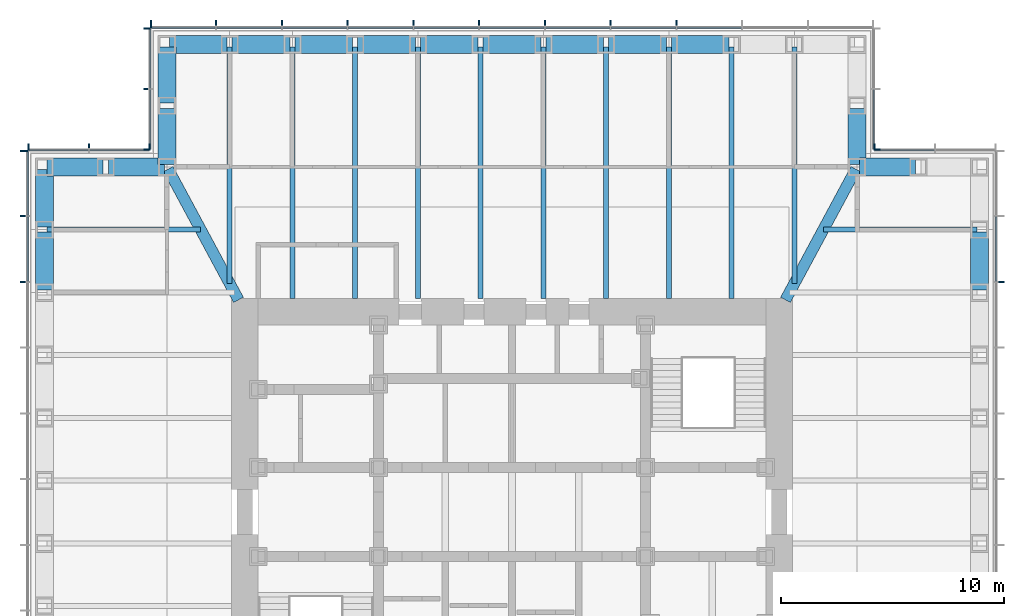
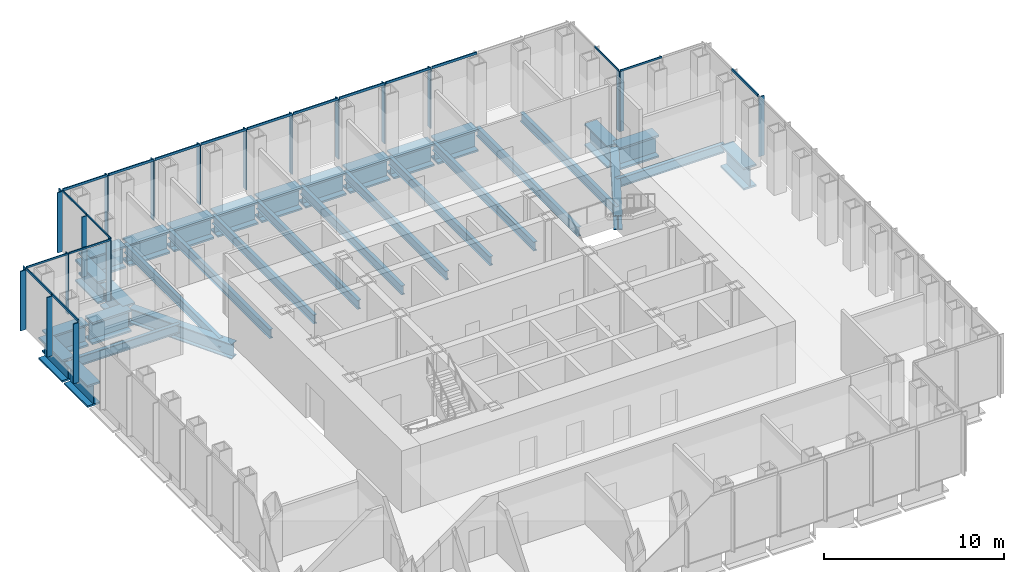
# One storey, part 5 of 17: 39 members, 32 beams, 7 elements without a shape of their own.
"""IFC4 building model written with IfcOpenShell, lengths in metres."""

from ifc_helpers import new_model, si_unit, direction, frame, origin, origin_2d, place, context, subcontext, project, spatial, rectangle, i_section, extrude, material, material_profile, profile_set, type_object, element, aggregate, save


model = new_model("IFC4")

# Units and contexts
model_context = context("Model", 3, precision=1e-05, world=origin(), true_north=direction((0.0, 1.0)))
body_context = subcontext(model_context, "Body", "Model", "MODEL_VIEW")
ifc_project = project(units=[si_unit("LENGTHUNIT", "METRE"), si_unit("AREAUNIT", "SQUARE_METRE"), si_unit("VOLUMEUNIT", "CUBIC_METRE"), si_unit("PLANEANGLEUNIT", "RADIAN"), si_unit("MASSUNIT", "GRAM", prefix="KILO")], contexts=[model_context])

# Site, building, storey
site_placement = place(None, origin())
site = spatial("IfcSite", under=ifc_project, at=site_placement, CompositionType="ELEMENT")
building_placement = place(site_placement, origin())
building = spatial("IfcBuilding", under=site, at=building_placement, Name="Daluyong Arena Tower", CompositionType="ELEMENT")
storey_placement = place(building_placement, frame((0.0, 0.0, 223.300048828125)))
storey = spatial("IfcBuildingStorey", under=building, at=storey_placement, Name="L50", CompositionType="ELEMENT", Elevation=223.300048828125)

# Curtain wall, member
ifc_material_1 = material(Name="Bronze anodised aluminium and glass", Category="aluminium")
curtain_wall_type_1 = type_object("IfcCurtainWallType", Name="Curtain wall CW3", PredefinedType="USERDEFINED", material=ifc_material_1)
curtain_wall_1_placement = place(storey_placement, origin())
curtain_wall_1 = element("IfcCurtainWall", 1, at=curtain_wall_1_placement, inside=storey, type_object=curtain_wall_type_1, Name="curtain wall L50 E", ObjectType="UNITISED CURTAIN WALL", PredefinedType="USERDEFINED")
ifc_material_2 = material(Name="Bronze anodised aluminium fin", Category="aluminium")
ifc_material_profile_1 = material_profile(ifc_material_2, rectangle(XDim=0.35009765625, YDim=0.070068359375, at=origin_2d()))
ifc_profile_set_1 = profile_set([ifc_material_profile_1], Name="Bronze anodised aluminium fin")
member_type_1 = type_object("IfcMemberType", Name="CW3 bronze fin 350x70", PredefinedType="MULLION", material=ifc_profile_set_1)
member_1_placement = place(storey_placement, frame((77.925048828125, 90.3408203125, 0.0), z_axis=(0.0, 0.0, 1.0), x_axis=(-1.0, 0.0, 0.0)))
member_1 = element("IfcMember", 2, at=member_1_placement, type_object=member_type_1, Name="curtain wall L50 E fin 10", PredefinedType="MULLION", context=body_context, shape_type="SweptSolid", body=[
    extrude(rectangle(XDim=0.35009765625, YDim=0.070068359375, at=origin_2d()), origin(), (0.0, 0.0, 1.0), 4.0400390625),
])

# Curtain wall, members
curtain_wall_2_placement = place(storey_placement, origin())
curtain_wall_2 = element("IfcCurtainWall", 3, at=curtain_wall_2_placement, inside=storey, type_object=curtain_wall_type_1, Name="curtain wall L50 N", ObjectType="UNITISED CURTAIN WALL", PredefinedType="USERDEFINED")
member_2_placement = place(storey_placement, frame((63.386474609375, 101.925048828125, 0.0), z_axis=(0.0, 0.0, 1.0), x_axis=(0.0, -1.0, 0.0)))
member_2 = element("IfcMember", 4, at=member_2_placement, type_object=member_type_1, Name="curtain wall L50 N fin 4", PredefinedType="MULLION", context=body_context, shape_type="SweptSolid", body=[
    extrude(rectangle(XDim=0.35009765625, YDim=0.070068359375, at=origin_2d()), origin(), (0.0, 0.0, 1.0), 4.0400390625),
])
member_3_placement = place(storey_placement, frame((60.431884765625, 101.925048828125, 0.0), z_axis=(0.0, 0.0, 1.0), x_axis=(0.0, -1.0, 0.0)))
member_3 = element("IfcMember", 5, at=member_3_placement, type_object=member_type_1, Name="curtain wall L50 N fin 5", PredefinedType="MULLION", context=body_context, shape_type="SweptSolid", body=[
    extrude(rectangle(XDim=0.35009765625, YDim=0.070068359375, at=origin_2d()), origin(), (0.0, 0.0, 1.0), 4.0400390625),
])
member_4_placement = place(storey_placement, frame((57.477294921875, 101.925048828125, 0.0), z_axis=(0.0, 0.0, 1.0), x_axis=(0.0, -1.0, 0.0)))
member_4 = element("IfcMember", 6, at=member_4_placement, type_object=member_type_1, Name="curtain wall L50 N fin 6", PredefinedType="MULLION", context=body_context, shape_type="SweptSolid", body=[
    extrude(rectangle(XDim=0.35009765625, YDim=0.070068359375, at=origin_2d()), origin(), (0.0, 0.0, 1.0), 4.0400390625),
])
member_5_placement = place(storey_placement, frame((54.522705078125, 101.925048828125, 0.0), z_axis=(0.0, 0.0, 1.0), x_axis=(0.0, -1.0, 0.0)))
member_5 = element("IfcMember", 7, at=member_5_placement, type_object=member_type_1, Name="curtain wall L50 N fin 7", PredefinedType="MULLION", context=body_context, shape_type="SweptSolid", body=[
    extrude(rectangle(XDim=0.35009765625, YDim=0.070068359375, at=origin_2d()), origin(), (0.0, 0.0, 1.0), 4.0400390625),
])
member_6_placement = place(storey_placement, frame((51.568115234375, 101.925048828125, 0.0), z_axis=(0.0, 0.0, 1.0), x_axis=(0.0, -1.0, 0.0)))
member_6 = element("IfcMember", 8, at=member_6_placement, type_object=member_type_1, Name="curtain wall L50 N fin 8", PredefinedType="MULLION", context=body_context, shape_type="SweptSolid", body=[
    extrude(rectangle(XDim=0.35009765625, YDim=0.070068359375, at=origin_2d()), origin(), (0.0, 0.0, 1.0), 4.0400390625),
])
member_7_placement = place(storey_placement, frame((48.613525390625, 101.925048828125, 0.0), z_axis=(0.0, 0.0, 1.0), x_axis=(0.0, -1.0, 0.0)))
member_7 = element("IfcMember", 9, at=member_7_placement, type_object=member_type_1, Name="curtain wall L50 N fin 9", PredefinedType="MULLION", context=body_context, shape_type="SweptSolid", body=[
    extrude(rectangle(XDim=0.35009765625, YDim=0.070068359375, at=origin_2d()), origin(), (0.0, 0.0, 1.0), 4.0400390625),
])
member_8_placement = place(storey_placement, frame((45.6591796875, 101.925048828125, 0.0), z_axis=(0.0, 0.0, 1.0), x_axis=(0.0, -1.0, 0.0)))
member_8 = element("IfcMember", 10, at=member_8_placement, type_object=member_type_1, Name="curtain wall L50 N fin 10", PredefinedType="MULLION", context=body_context, shape_type="SweptSolid", body=[
    extrude(rectangle(XDim=0.35009765625, YDim=0.070068359375, at=origin_2d()), origin(), (0.0, 0.0, 1.0), 4.0400390625),
])
member_9_placement = place(storey_placement, frame((42.70458984375, 101.925048828125, 0.0), z_axis=(0.0, 0.0, 1.0), x_axis=(0.0, -1.0, 0.0)))
member_9 = element("IfcMember", 11, at=member_9_placement, type_object=member_type_1, Name="curtain wall L50 N fin 11", PredefinedType="MULLION", context=body_context, shape_type="SweptSolid", body=[
    extrude(rectangle(XDim=0.35009765625, YDim=0.070068359375, at=origin_2d()), origin(), (0.0, 0.0, 1.0), 4.0400390625),
])
member_10_placement = place(storey_placement, frame((39.784912109375, 101.925048828125, 0.0), z_axis=(0.0, 0.0, 1.0), x_axis=(0.0, -1.0, 0.0)))
member_10 = element("IfcMember", 12, at=member_10_placement, type_object=member_type_1, Name="curtain wall L50 N fin 12", PredefinedType="MULLION", context=body_context, shape_type="SweptSolid", body=[
    extrude(rectangle(XDim=0.35009765625, YDim=0.070068359375, at=origin_2d()), origin(), (0.0, 0.0, 1.0), 4.0400390625),
])

curtain_wall_3_placement = place(storey_placement, origin())
curtain_wall_3 = element("IfcCurtainWall", 13, at=curtain_wall_3_placement, inside=storey, type_object=curtain_wall_type_1, Name="curtain wall L50 W", ObjectType="UNITISED CURTAIN WALL", PredefinedType="USERDEFINED")
member_11_placement = place(storey_placement, frame((34.074951171875, 96.215087890625, 0.0), z_axis=(0.0, 0.0, 1.0), x_axis=(1.0, 0.0, 0.0)))
member_11 = element("IfcMember", 14, at=member_11_placement, type_object=member_type_1, Name="curtain wall L50 W fin 1", PredefinedType="MULLION", context=body_context, shape_type="SweptSolid", body=[
    extrude(rectangle(XDim=0.35009765625, YDim=0.070068359375, at=origin_2d()), origin(), (0.0, 0.0, 1.0), 4.0400390625),
])
member_12_placement = place(storey_placement, frame((34.074951171875, 93.29541015625, 0.0), z_axis=(0.0, 0.0, 1.0), x_axis=(1.0, 0.0, 0.0)))
member_12 = element("IfcMember", 15, at=member_12_placement, type_object=member_type_1, Name="curtain wall L50 W fin 2", PredefinedType="MULLION", context=body_context, shape_type="SweptSolid", body=[
    extrude(rectangle(XDim=0.35009765625, YDim=0.070068359375, at=origin_2d()), origin(), (0.0, 0.0, 1.0), 4.0400390625),
])
member_13_placement = place(storey_placement, frame((34.074951171875, 90.3408203125, 0.0), z_axis=(0.0, 0.0, 1.0), x_axis=(1.0, 0.0, 0.0)))
member_13 = element("IfcMember", 16, at=member_13_placement, type_object=member_type_1, Name="curtain wall L50 W fin 3", PredefinedType="MULLION", context=body_context, shape_type="SweptSolid", body=[
    extrude(rectangle(XDim=0.35009765625, YDim=0.070068359375, at=origin_2d()), origin(), (0.0, 0.0, 1.0), 4.0400390625),
])

# Member
ifc_material_3 = material(Name="Bronze anodised aluminium", Category="aluminium")
ifc_material_profile_2 = material_profile(ifc_material_3, rectangle(XDim=0.070068359375, YDim=0.159912109375, at=origin_2d()))
ifc_profile_set_2 = profile_set([ifc_material_profile_2], Name="Bronze anodised aluminium")
member_type_2 = type_object("IfcMemberType", Name="CW3 stack transom 160x70", PredefinedType="USERDEFINED", material=ifc_profile_set_2)
member_14_placement = place(storey_placement, frame((77.75, 90.3759765625, 4.119873046875), z_axis=(0.0, 1.0, 0.0), x_axis=(-1.0, 0.0, 0.0)))
member_14 = element("IfcMember", 17, at=member_14_placement, type_object=member_type_2, Name="curtain wall L50 E transom 10", ObjectType="TRANSOM", PredefinedType="USERDEFINED", context=body_context, shape_type="SweptSolid", body=[
    extrude(rectangle(XDim=0.070068359375, YDim=0.159912109375, at=origin_2d()), origin(), (0.0, 0.0, 1.0), 2.884521484375),
])

aggregate(curtain_wall_1, [member_1, member_14])

member_15_placement = place(storey_placement, frame((66.305908203125, 101.75, 4.119873046875), z_axis=(-1.0, 0.0, 0.0), x_axis=(0.0, -1.0, 0.0)))
member_15 = element("IfcMember", 18, at=member_15_placement, type_object=member_type_2, Name="curtain wall L50 N transom 3", ObjectType="TRANSOM", PredefinedType="USERDEFINED", context=body_context, shape_type="SweptSolid", body=[
    extrude(rectangle(XDim=0.070068359375, YDim=0.159912109375, at=origin_2d()), origin(), (0.0, 0.0, 1.0), 2.884521484375),
])

member_16_placement = place(storey_placement, frame((63.351318359375, 101.75, 4.119873046875), z_axis=(-1.0, 0.0, 0.0), x_axis=(0.0, -1.0, 0.0)))
member_16 = element("IfcMember", 19, at=member_16_placement, type_object=member_type_2, Name="curtain wall L50 N transom 4", ObjectType="TRANSOM", PredefinedType="USERDEFINED", context=body_context, shape_type="SweptSolid", body=[
    extrude(rectangle(XDim=0.070068359375, YDim=0.159912109375, at=origin_2d()), origin(), (0.0, 0.0, 1.0), 2.884521484375),
])

member_17_placement = place(storey_placement, frame((60.396728515625, 101.75, 4.119873046875), z_axis=(-1.0, 0.0, 0.0), x_axis=(0.0, -1.0, 0.0)))
member_17 = element("IfcMember", 20, at=member_17_placement, type_object=member_type_2, Name="curtain wall L50 N transom 5", ObjectType="TRANSOM", PredefinedType="USERDEFINED", context=body_context, shape_type="SweptSolid", body=[
    extrude(rectangle(XDim=0.070068359375, YDim=0.159912109375, at=origin_2d()), origin(), (0.0, 0.0, 1.0), 2.884521484375),
])

member_18_placement = place(storey_placement, frame((57.4423828125, 101.75, 4.119873046875), z_axis=(-1.0, 0.0, 0.0), x_axis=(0.0, -1.0, 0.0)))
member_18 = element("IfcMember", 21, at=member_18_placement, type_object=member_type_2, Name="curtain wall L50 N transom 6", ObjectType="TRANSOM", PredefinedType="USERDEFINED", context=body_context, shape_type="SweptSolid", body=[
    extrude(rectangle(XDim=0.070068359375, YDim=0.159912109375, at=origin_2d()), origin(), (0.0, 0.0, 1.0), 2.884765625),
])

member_19_placement = place(storey_placement, frame((54.48779296875, 101.75, 4.119873046875), z_axis=(-1.0, 0.0, 0.0), x_axis=(0.0, -1.0, 0.0)))
member_19 = element("IfcMember", 22, at=member_19_placement, type_object=member_type_2, Name="curtain wall L50 N transom 7", ObjectType="TRANSOM", PredefinedType="USERDEFINED", context=body_context, shape_type="SweptSolid", body=[
    extrude(rectangle(XDim=0.070068359375, YDim=0.159912109375, at=origin_2d()), origin(), (0.0, 0.0, 1.0), 2.884521484375),
])

member_20_placement = place(storey_placement, frame((51.533203125, 101.75, 4.119873046875), z_axis=(-1.0, 0.0, 0.0), x_axis=(0.0, -1.0, 0.0)))
member_20 = element("IfcMember", 23, at=member_20_placement, type_object=member_type_2, Name="curtain wall L50 N transom 8", ObjectType="TRANSOM", PredefinedType="USERDEFINED", context=body_context, shape_type="SweptSolid", body=[
    extrude(rectangle(XDim=0.070068359375, YDim=0.159912109375, at=origin_2d()), origin(), (0.0, 0.0, 1.0), 2.884521484375),
])

member_21_placement = place(storey_placement, frame((48.57861328125, 101.75, 4.119873046875), z_axis=(-1.0, 0.0, 0.0), x_axis=(0.0, -1.0, 0.0)))
member_21 = element("IfcMember", 24, at=member_21_placement, type_object=member_type_2, Name="curtain wall L50 N transom 9", ObjectType="TRANSOM", PredefinedType="USERDEFINED", context=body_context, shape_type="SweptSolid", body=[
    extrude(rectangle(XDim=0.070068359375, YDim=0.159912109375, at=origin_2d()), origin(), (0.0, 0.0, 1.0), 2.884521484375),
])

member_22_placement = place(storey_placement, frame((45.6240234375, 101.75, 4.119873046875), z_axis=(-1.0, 0.0, 0.0), x_axis=(0.0, -1.0, 0.0)))
member_22 = element("IfcMember", 25, at=member_22_placement, type_object=member_type_2, Name="curtain wall L50 N transom 10", ObjectType="TRANSOM", PredefinedType="USERDEFINED", context=body_context, shape_type="SweptSolid", body=[
    extrude(rectangle(XDim=0.070068359375, YDim=0.159912109375, at=origin_2d()), origin(), (0.0, 0.0, 1.0), 2.884521484375),
])

member_23_placement = place(storey_placement, frame((42.66943359375, 101.75, 4.119873046875), z_axis=(-1.0, 0.0, 0.0), x_axis=(0.0, -1.0, 0.0)))
member_23 = element("IfcMember", 26, at=member_23_placement, type_object=member_type_2, Name="curtain wall L50 N transom 11", ObjectType="TRANSOM", PredefinedType="USERDEFINED", context=body_context, shape_type="SweptSolid", body=[
    extrude(rectangle(XDim=0.070068359375, YDim=0.159912109375, at=origin_2d()), origin(), (0.0, 0.0, 1.0), 2.849365234375),
])

aggregate(curtain_wall_2, [member_2, member_3, member_4, member_5, member_6, member_7, member_8, member_9, member_10, member_15, member_16, member_17, member_18, member_19, member_20, member_21, member_22, member_23])

member_24_placement = place(storey_placement, frame((34.25, 96.179931640625, 4.119873046875), z_axis=(0.0, -1.0, 0.0), x_axis=(1.0, 0.0, 0.0)))
member_24 = element("IfcMember", 27, at=member_24_placement, type_object=member_type_2, Name="curtain wall L50 W transom 1", ObjectType="TRANSOM", PredefinedType="USERDEFINED", context=body_context, shape_type="SweptSolid", body=[
    extrude(rectangle(XDim=0.070068359375, YDim=0.159912109375, at=origin_2d()), origin(), (0.0, 0.0, 1.0), 2.849365234375),
])

member_25_placement = place(storey_placement, frame((34.25, 93.260498046875, 4.119873046875), z_axis=(0.0, -1.0, 0.0), x_axis=(1.0, 0.0, 0.0)))
member_25 = element("IfcMember", 28, at=member_25_placement, type_object=member_type_2, Name="curtain wall L50 W transom 2", ObjectType="TRANSOM", PredefinedType="USERDEFINED", context=body_context, shape_type="SweptSolid", body=[
    extrude(rectangle(XDim=0.070068359375, YDim=0.159912109375, at=origin_2d()), origin(), (0.0, 0.0, 1.0), 2.884521484375),
])

aggregate(curtain_wall_3, [member_11, member_12, member_13, member_24, member_25])

# Curtain wall, member
ifc_material_4 = material(Name="Bronze anodised aluminium and glass", Category="aluminium")
curtain_wall_type_2 = type_object("IfcCurtainWallType", Name="Curtain wall CW7", PredefinedType="USERDEFINED", material=ifc_material_4)
curtain_wall_4_placement = place(storey_placement, origin())
curtain_wall_4 = element("IfcCurtainWall", 29, at=curtain_wall_4_placement, inside=storey, type_object=curtain_wall_type_2, Name="curtain wall L50 NE-N", ObjectType="UNITISED CURTAIN WALL", PredefinedType="USERDEFINED")
ifc_material_5 = material(Name="Bronze anodised aluminium fin", Category="aluminium")
ifc_material_profile_3 = material_profile(ifc_material_5, rectangle(XDim=0.300048828125, YDim=0.06005859375, at=origin_2d()))
ifc_profile_set_3 = profile_set([ifc_material_profile_3], Name="Bronze anodised aluminium fin")
member_type_3 = type_object("IfcMemberType", Name="CW7 bronze fin 300x60", PredefinedType="MULLION", material=ifc_profile_set_3)
member_26_placement = place(storey_placement, frame((72.280029296875, 96.39990234375, 0.0), z_axis=(0.0, 0.0, 1.0), x_axis=(0.0, -1.0, 0.0)))
member_26 = element("IfcMember", 30, at=member_26_placement, type_object=member_type_3, Name="curtain wall L50 NE-N fin 3", PredefinedType="MULLION", context=body_context, shape_type="SweptSolid", body=[
    extrude(rectangle(XDim=0.300048828125, YDim=0.06005859375, at=origin_2d()), origin(), (0.0, 0.0, 1.0), 4.079833984375),
])

curtain_wall_5_placement = place(storey_placement, origin())
curtain_wall_5 = element("IfcCurtainWall", 31, at=curtain_wall_5_placement, inside=storey, type_object=curtain_wall_type_2, Name="curtain wall L50 NE-E", ObjectType="UNITISED CURTAIN WALL", PredefinedType="USERDEFINED")
member_27_placement = place(storey_placement, frame((72.39990234375, 96.280029296875, 0.0), z_axis=(0.0, 0.0, 1.0), x_axis=(-1.0, 0.0, 0.0)))
member_27 = element("IfcMember", 32, at=member_27_placement, type_object=member_type_3, Name="curtain wall L50 NE-E fin 1", PredefinedType="MULLION", context=body_context, shape_type="SweptSolid", body=[
    extrude(rectangle(XDim=0.300048828125, YDim=0.06005859375, at=origin_2d()), origin(), (0.0, 0.0, 1.0), 4.079833984375),
])

# Curtain wall, members
curtain_wall_6_placement = place(storey_placement, origin())
curtain_wall_6 = element("IfcCurtainWall", 33, at=curtain_wall_6_placement, inside=storey, type_object=curtain_wall_type_2, Name="curtain wall L50 NW-W", ObjectType="UNITISED CURTAIN WALL", PredefinedType="USERDEFINED")
member_28_placement = place(storey_placement, frame((39.60009765625, 101.719970703125, 0.0), z_axis=(0.0, 0.0, 1.0), x_axis=(1.0, 0.0, 0.0)))
member_28 = element("IfcMember", 34, at=member_28_placement, type_object=member_type_3, Name="curtain wall L50 NW-W fin 1", PredefinedType="MULLION", context=body_context, shape_type="SweptSolid", body=[
    extrude(rectangle(XDim=0.300048828125, YDim=0.06005859375, at=origin_2d()), origin(), (0.0, 0.0, 1.0), 4.079833984375),
])
member_29_placement = place(storey_placement, frame((39.60009765625, 99.0, 0.0), z_axis=(0.0, 0.0, 1.0), x_axis=(1.0, 0.0, 0.0)))
member_29 = element("IfcMember", 35, at=member_29_placement, type_object=member_type_3, Name="curtain wall L50 NW-W fin 2", PredefinedType="MULLION", context=body_context, shape_type="SweptSolid", body=[
    extrude(rectangle(XDim=0.300048828125, YDim=0.06005859375, at=origin_2d()), origin(), (0.0, 0.0, 1.0), 4.079833984375),
])
member_30_placement = place(storey_placement, frame((39.60009765625, 96.280029296875, 0.0), z_axis=(0.0, 0.0, 1.0), x_axis=(1.0, 0.0, 0.0)))
member_30 = element("IfcMember", 36, at=member_30_placement, type_object=member_type_3, Name="curtain wall L50 NW-W fin 3", PredefinedType="MULLION", context=body_context, shape_type="SweptSolid", body=[
    extrude(rectangle(XDim=0.300048828125, YDim=0.06005859375, at=origin_2d()), origin(), (0.0, 0.0, 1.0), 4.079833984375),
])

curtain_wall_7_placement = place(storey_placement, origin())
curtain_wall_7 = element("IfcCurtainWall", 37, at=curtain_wall_7_placement, inside=storey, type_object=curtain_wall_type_2, Name="curtain wall L50 NW-N", ObjectType="UNITISED CURTAIN WALL", PredefinedType="USERDEFINED")
member_31_placement = place(storey_placement, frame((39.719970703125, 96.39990234375, 0.0), z_axis=(0.0, 0.0, 1.0), x_axis=(0.0, -1.0, 0.0)))
member_31 = element("IfcMember", 38, at=member_31_placement, type_object=member_type_3, Name="curtain wall L50 NW-N fin 1", PredefinedType="MULLION", context=body_context, shape_type="SweptSolid", body=[
    extrude(rectangle(XDim=0.300048828125, YDim=0.06005859375, at=origin_2d()), origin(), (0.0, 0.0, 1.0), 4.079833984375),
])
member_32_placement = place(storey_placement, frame((37.0, 96.39990234375, 0.0), z_axis=(0.0, 0.0, 1.0), x_axis=(0.0, -1.0, 0.0)))
member_32 = element("IfcMember", 39, at=member_32_placement, type_object=member_type_3, Name="curtain wall L50 NW-N fin 2", PredefinedType="MULLION", context=body_context, shape_type="SweptSolid", body=[
    extrude(rectangle(XDim=0.300048828125, YDim=0.06005859375, at=origin_2d()), origin(), (0.0, 0.0, 1.0), 4.079833984375),
])
member_33_placement = place(storey_placement, frame((34.280029296875, 96.39990234375, 0.0), z_axis=(0.0, 0.0, 1.0), x_axis=(0.0, -1.0, 0.0)))
member_33 = element("IfcMember", 40, at=member_33_placement, type_object=member_type_3, Name="curtain wall L50 NW-N fin 3", PredefinedType="MULLION", context=body_context, shape_type="SweptSolid", body=[
    extrude(rectangle(XDim=0.300048828125, YDim=0.06005859375, at=origin_2d()), origin(), (0.0, 0.0, 1.0), 4.079833984375),
])

# Member
ifc_material_6 = material(Name="Bronze anodised aluminium", Category="aluminium")
ifc_material_profile_4 = material_profile(ifc_material_6, rectangle(XDim=0.06005859375, YDim=0.1201171875, at=origin_2d()))
ifc_profile_set_4 = profile_set([ifc_material_profile_4], Name="Bronze anodised aluminium")
member_type_4 = type_object("IfcMemberType", Name="CW7 stack transom 120x60", PredefinedType="USERDEFINED", material=ifc_profile_set_4)
member_34_placement = place(storey_placement, frame((74.969970703125, 96.25, 4.139892578125), z_axis=(-1.0, 0.0, 0.0), x_axis=(0.0, -1.0, 0.0)))
member_34 = element("IfcMember", 41, at=member_34_placement, type_object=member_type_4, Name="curtain wall L50 NE-N transom 2", ObjectType="TRANSOM", PredefinedType="USERDEFINED", context=body_context, shape_type="SweptSolid", body=[
    extrude(rectangle(XDim=0.06005859375, YDim=0.1201171875, at=origin_2d()), origin(), (0.0, 0.0, 1.0), 2.659912109375),
])

aggregate(curtain_wall_4, [member_26, member_34])

member_35_placement = place(storey_placement, frame((72.25, 96.31005859375, 4.139892578125), z_axis=(0.0, 1.0, 0.0), x_axis=(-1.0, 0.0, 0.0)))
member_35 = element("IfcMember", 42, at=member_35_placement, type_object=member_type_4, Name="curtain wall L50 NE-E transom 1", ObjectType="TRANSOM", PredefinedType="USERDEFINED", context=body_context, shape_type="SweptSolid", body=[
    extrude(rectangle(XDim=0.06005859375, YDim=0.1201171875, at=origin_2d()), origin(), (0.0, 0.0, 1.0), 2.659912109375),
])

aggregate(curtain_wall_5, [member_27, member_35])

member_36_placement = place(storey_placement, frame((39.75, 101.68994140625, 4.139892578125), z_axis=(0.0, -1.0, 0.0), x_axis=(1.0, 0.0, 0.0)))
member_36 = element("IfcMember", 43, at=member_36_placement, type_object=member_type_4, Name="curtain wall L50 NW-W transom 1", ObjectType="TRANSOM", PredefinedType="USERDEFINED", context=body_context, shape_type="SweptSolid", body=[
    extrude(rectangle(XDim=0.06005859375, YDim=0.1201171875, at=origin_2d()), origin(), (0.0, 0.0, 1.0), 2.659912109375),
])

member_37_placement = place(storey_placement, frame((39.75, 98.969970703125, 4.139892578125), z_axis=(0.0, -1.0, 0.0), x_axis=(1.0, 0.0, 0.0)))
member_37 = element("IfcMember", 44, at=member_37_placement, type_object=member_type_4, Name="curtain wall L50 NW-W transom 2", ObjectType="TRANSOM", PredefinedType="USERDEFINED", context=body_context, shape_type="SweptSolid", body=[
    extrude(rectangle(XDim=0.06005859375, YDim=0.1201171875, at=origin_2d()), origin(), (0.0, 0.0, 1.0), 2.659912109375),
])

aggregate(curtain_wall_6, [member_28, member_29, member_30, member_36, member_37])

member_38_placement = place(storey_placement, frame((39.68994140625, 96.25, 4.139892578125), z_axis=(-1.0, 0.0, 0.0), x_axis=(0.0, -1.0, 0.0)))
member_38 = element("IfcMember", 45, at=member_38_placement, type_object=member_type_4, Name="curtain wall L50 NW-N transom 1", ObjectType="TRANSOM", PredefinedType="USERDEFINED", context=body_context, shape_type="SweptSolid", body=[
    extrude(rectangle(XDim=0.06005859375, YDim=0.1201171875, at=origin_2d()), origin(), (0.0, 0.0, 1.0), 2.659912109375),
])

member_39_placement = place(storey_placement, frame((36.969970703125, 96.25, 4.139892578125), z_axis=(-1.0, 0.0, 0.0), x_axis=(0.0, -1.0, 0.0)))
member_39 = element("IfcMember", 46, at=member_39_placement, type_object=member_type_4, Name="curtain wall L50 NW-N transom 2", ObjectType="TRANSOM", PredefinedType="USERDEFINED", context=body_context, shape_type="SweptSolid", body=[
    extrude(rectangle(XDim=0.06005859375, YDim=0.1201171875, at=origin_2d()), origin(), (0.0, 0.0, 1.0), 2.659912109375),
])

aggregate(curtain_wall_7, [member_31, member_32, member_33, member_38, member_39])

# Beams
ifc_material_7 = material(Name="Steel ASTM A572 Grade 50", Category="steel")
ifc_material_profile_5 = material_profile(ifc_material_7, i_section(OverallWidth=0.5, OverallDepth=1.0, WebThickness=0.03, FlangeThickness=0.06, at=origin_2d()))
ifc_profile_set_5 = profile_set([ifc_material_profile_5], Name="Steel ASTM A572 Grade 50")
beam_type_1 = type_object("IfcBeamType", Name="Corner girder TB1000X500", PredefinedType="BEAM", material=ifc_profile_set_5)
for number, where, z_axis, x_axis, name in (
    (47, (71.445556640625, 95.398681640625, -0.66015625), (-0.474119475266, -0.880460517669, 0.0), (0.880460517669, -0.474119475266, 0.0), "corner girder DG2"),
    (48, (40.554443359375, 95.398681640625, -0.66015625), (0.474119475266, -0.880460517669, 0.0), (0.880460517669, 0.474119475266, 0.0), "corner girder DG2"),
):
    element("IfcBeam", number, at=place(storey_placement, frame(where, z_axis=z_axis, x_axis=x_axis)), inside=storey, type_object=beam_type_1, Name=name, PredefinedType="BEAM", context=body_context, shape_type="SweptSolid", body=[
        extrude(i_section(OverallWidth=0.5, OverallDepth=1.0, WebThickness=0.03, FlangeThickness=0.06, at=origin_2d()), origin(), (0.0, 0.0, 1.0), 6.66748046875),
    ])
ifc_material_8 = material(Name="Steel ASTM A992 Grade 50", Category="steel")
ifc_material_profile_6 = material_profile(ifc_material_8, i_section(OverallWidth=0.22900390625, OverallDepth=0.612060546875, WebThickness=0.011962890625, FlangeThickness=0.01953125, at=origin_2d()))
ifc_profile_set_6 = profile_set([ifc_material_profile_6], Name="Steel ASTM A992 Grade 50")
beam_type_2 = type_object("IfcBeamType", Name="Floor beam W24X84", PredefinedType="BEAM", material=ifc_profile_set_6)
beam_1_placement = place(storey_placement, frame((76.885009765625, 92.681884765625, -0.466064453125), z_axis=(-1.0, 0.0, 0.0), x_axis=(0.0, -1.0, 0.0)))
element("IfcBeam", 49, at=beam_1_placement, inside=storey, type_object=beam_type_2, Name="floor beam FB3", PredefinedType="BEAM", context=body_context, shape_type="SweptSolid", body=[
    extrude(i_section(OverallWidth=0.22900390625, OverallDepth=0.612060546875, WebThickness=0.011962890625, FlangeThickness=0.01953125, at=origin_2d()), origin(), (0.0, 0.0, 1.0), 6.902587890625),
])
beam_2_placement = place(storey_placement, frame((68.681884765625, 100.885009765625, -0.466064453125), z_axis=(0.0, -1.0, 0.0), x_axis=(1.0, 0.0, 0.0)))
element("IfcBeam", 50, at=beam_2_placement, inside=storey, type_object=beam_type_2, Name="floor beam FB3", PredefinedType="BEAM", context=body_context, shape_type="SweptSolid", body=[
    extrude(i_section(OverallWidth=0.22900390625, OverallDepth=0.612060546875, WebThickness=0.011962890625, FlangeThickness=0.01953125, at=origin_2d()), origin(), (0.0, 0.0, 1.0), 10.618896484375),
])
for number, where, z_axis, x_axis, name in (
    (51, (65.863525390625, 100.885009765625, -0.466064453125), (0.0, -1.0, 0.0), (1.0, 0.0, 0.0), "floor beam FB3"),
    (52, (63.04541015625, 100.885009765625, -0.466064453125), (0.0, -1.0, 0.0), (1.0, 0.0, 0.0), "floor beam FB3"),
    (53, (60.227294921875, 100.885009765625, -0.466064453125), (0.0, -1.0, 0.0), (1.0, 0.0, 0.0), "floor beam FB3"),
    (54, (57.4091796875, 100.885009765625, -0.466064453125), (0.0, -1.0, 0.0), (1.0, 0.0, 0.0), "floor beam FB3"),
    (55, (54.5908203125, 100.885009765625, -0.466064453125), (0.0, -1.0, 0.0), (1.0, 0.0, 0.0), "floor beam FB3"),
    (56, (51.772705078125, 100.885009765625, -0.466064453125), (0.0, -1.0, 0.0), (1.0, 0.0, 0.0), "floor beam FB3"),
    (57, (48.95458984375, 100.885009765625, -0.466064453125), (0.0, -1.0, 0.0), (1.0, 0.0, 0.0), "floor beam FB3"),
    (58, (46.136474609375, 100.885009765625, -0.466064453125), (0.0, -1.0, 0.0), (1.0, 0.0, 0.0), "floor beam FB3"),
):
    element("IfcBeam", number, at=place(storey_placement, frame(where, z_axis=z_axis, x_axis=x_axis)), inside=storey, type_object=beam_type_2, Name=name, PredefinedType="BEAM", context=body_context, shape_type="SweptSolid", body=[
        extrude(i_section(OverallWidth=0.22900390625, OverallDepth=0.612060546875, WebThickness=0.011962890625, FlangeThickness=0.01953125, at=origin_2d()), origin(), (0.0, 0.0, 1.0), 11.284912109375),
    ])
beam_3_placement = place(storey_placement, frame((43.318115234375, 100.885009765625, -0.466064453125), z_axis=(0.0, -1.0, 0.0), x_axis=(1.0, 0.0, 0.0)))
element("IfcBeam", 59, at=beam_3_placement, inside=storey, type_object=beam_type_2, Name="floor beam FB3", PredefinedType="BEAM", context=body_context, shape_type="SweptSolid", body=[
    extrude(i_section(OverallWidth=0.22900390625, OverallDepth=0.612060546875, WebThickness=0.011962890625, FlangeThickness=0.01953125, at=origin_2d()), origin(), (0.0, 0.0, 1.0), 10.618896484375),
])
beam_4_placement = place(storey_placement, frame((35.114990234375, 92.681884765625, -0.466064453125), z_axis=(1.0, 0.0, 0.0), x_axis=(0.0, 1.0, 0.0)))
element("IfcBeam", 60, at=beam_4_placement, inside=storey, type_object=beam_type_2, Name="floor beam FB3", PredefinedType="BEAM", context=body_context, shape_type="SweptSolid", body=[
    extrude(i_section(OverallWidth=0.22900390625, OverallDepth=0.612060546875, WebThickness=0.011962890625, FlangeThickness=0.01953125, at=origin_2d()), origin(), (0.0, 0.0, 1.0), 6.902587890625),
])
ifc_material_9 = material(Name="Steel ASTM A588 Grade 50", Category="steel")
ifc_material_profile_7 = material_profile(ifc_material_9, i_section(OverallWidth=0.800048828125, OverallDepth=1.5, WebThickness=0.05, FlangeThickness=0.12, at=origin_2d()))
ifc_profile_set_7 = profile_set([ifc_material_profile_7], Name="Steel ASTM A588 Grade 50")
beam_type_3 = type_object("IfcBeamType", Name="Spandrel Z3 PG1500X800", PredefinedType="SPANDREL", material=ifc_profile_set_7)
beam_5_placement = place(storey_placement, frame((77.0, 89.978515625, -0.91015625), z_axis=(0.0, 1.0, 0.0), x_axis=(-1.0, 0.0, 0.0)))
element("IfcBeam", 61, at=beam_5_placement, inside=storey, type_object=beam_type_3, Name="spandrel z3 SB7", PredefinedType="SPANDREL", context=body_context, shape_type="SweptSolid", body=[
    extrude(i_section(OverallWidth=0.800048828125, OverallDepth=1.5, WebThickness=0.05, FlangeThickness=0.12, at=origin_2d()), origin(), (0.0, 0.0, 1.0), 2.58837890625),
])
for number, where, z_axis, x_axis, name in (
    (62, (74.135009765625, 95.5, -0.91015625), (-1.0, 0.0, 0.0), (0.0, -1.0, 0.0), "spandrel z3 SB7"),
    (63, (71.5, 95.614990234375, -0.91015625), (0.0, 1.0, 0.0), (-1.0, 0.0, 0.0), "spandrel z3 SB7"),
):
    element("IfcBeam", number, at=place(storey_placement, frame(where, z_axis=z_axis, x_axis=x_axis)), inside=storey, type_object=beam_type_3, Name=name, PredefinedType="SPANDREL", context=body_context, shape_type="SweptSolid", body=[
        extrude(i_section(OverallWidth=0.800048828125, OverallDepth=1.5, WebThickness=0.05, FlangeThickness=0.12, at=origin_2d()), origin(), (0.0, 0.0, 1.0), 2.52001953125),
    ])
for number, where, z_axis, x_axis, name in (
    (64, (65.74853515625, 101.0, -0.91015625), (-1.0, 0.0, 0.0), (0.0, -1.0, 0.0), "spandrel z3 SB7"),
    (65, (62.930419921875, 101.0, -0.91015625), (-1.0, 0.0, 0.0), (0.0, -1.0, 0.0), "spandrel z3 SB7"),
    (66, (60.1123046875, 101.0, -0.91015625), (-1.0, 0.0, 0.0), (0.0, -1.0, 0.0), "spandrel z3 SB7"),
):
    element("IfcBeam", number, at=place(storey_placement, frame(where, z_axis=z_axis, x_axis=x_axis)), inside=storey, type_object=beam_type_3, Name=name, PredefinedType="SPANDREL", context=body_context, shape_type="SweptSolid", body=[
        extrude(i_section(OverallWidth=0.800048828125, OverallDepth=1.5, WebThickness=0.05, FlangeThickness=0.12, at=origin_2d()), origin(), (0.0, 0.0, 1.0), 2.588134765625),
    ])
beam_6_placement = place(storey_placement, frame((57.294189453125, 101.0, -0.91015625), z_axis=(-1.0, 0.0, 0.0), x_axis=(0.0, -1.0, 0.0)))
element("IfcBeam", 67, at=beam_6_placement, inside=storey, type_object=beam_type_3, Name="spandrel z3 SB7", PredefinedType="SPANDREL", context=body_context, shape_type="SweptSolid", body=[
    extrude(i_section(OverallWidth=0.800048828125, OverallDepth=1.5, WebThickness=0.05, FlangeThickness=0.12, at=origin_2d()), origin(), (0.0, 0.0, 1.0), 2.58837890625),
])
for number, where, z_axis, x_axis, name in (
    (68, (54.475830078125, 101.0, -0.91015625), (-1.0, 0.0, 0.0), (0.0, -1.0, 0.0), "spandrel z3 SB7"),
    (69, (51.65771484375, 101.0, -0.91015625), (-1.0, 0.0, 0.0), (0.0, -1.0, 0.0), "spandrel z3 SB7"),
    (70, (48.839599609375, 101.0, -0.91015625), (-1.0, 0.0, 0.0), (0.0, -1.0, 0.0), "spandrel z3 SB7"),
):
    element("IfcBeam", number, at=place(storey_placement, frame(where, z_axis=z_axis, x_axis=x_axis)), inside=storey, type_object=beam_type_3, Name=name, PredefinedType="SPANDREL", context=body_context, shape_type="SweptSolid", body=[
        extrude(i_section(OverallWidth=0.800048828125, OverallDepth=1.5, WebThickness=0.05, FlangeThickness=0.12, at=origin_2d()), origin(), (0.0, 0.0, 1.0), 2.588134765625),
    ])
beam_7_placement = place(storey_placement, frame((46.021484375, 101.0, -0.91015625), z_axis=(-1.0, 0.0, 0.0), x_axis=(0.0, -1.0, 0.0)))
element("IfcBeam", 71, at=beam_7_placement, inside=storey, type_object=beam_type_3, Name="spandrel z3 SB7", PredefinedType="SPANDREL", context=body_context, shape_type="SweptSolid", body=[
    extrude(i_section(OverallWidth=0.800048828125, OverallDepth=1.5, WebThickness=0.05, FlangeThickness=0.12, at=origin_2d()), origin(), (0.0, 0.0, 1.0), 2.58837890625),
])
beam_8_placement = place(storey_placement, frame((43.203125, 101.0, -0.91015625), z_axis=(-1.0, 0.0, 0.0), x_axis=(0.0, -1.0, 0.0)))
element("IfcBeam", 72, at=beam_8_placement, inside=storey, type_object=beam_type_3, Name="spandrel z3 SB7", PredefinedType="SPANDREL", context=body_context, shape_type="SweptSolid", body=[
    extrude(i_section(OverallWidth=0.800048828125, OverallDepth=1.5, WebThickness=0.05, FlangeThickness=0.12, at=origin_2d()), origin(), (0.0, 0.0, 1.0), 2.588134765625),
])
for number, where, z_axis, x_axis, name in (
    (73, (40.5, 100.885009765625, -0.91015625), (0.0, -1.0, 0.0), (1.0, 0.0, 0.0), "spandrel z3 SB7"),
    (74, (40.5, 98.135009765625, -0.91015625), (0.0, -1.0, 0.0), (1.0, 0.0, 0.0), "spandrel z3 SB7"),
    (75, (40.385009765625, 95.5, -0.91015625), (-1.0, 0.0, 0.0), (0.0, -1.0, 0.0), "spandrel z3 SB7"),
    (76, (37.635009765625, 95.5, -0.91015625), (-1.0, 0.0, 0.0), (0.0, -1.0, 0.0), "spandrel z3 SB7"),
):
    element("IfcBeam", number, at=place(storey_placement, frame(where, z_axis=z_axis, x_axis=x_axis)), inside=storey, type_object=beam_type_3, Name=name, PredefinedType="SPANDREL", context=body_context, shape_type="SweptSolid", body=[
        extrude(i_section(OverallWidth=0.800048828125, OverallDepth=1.5, WebThickness=0.05, FlangeThickness=0.12, at=origin_2d()), origin(), (0.0, 0.0, 1.0), 2.52001953125),
    ])
beam_9_placement = place(storey_placement, frame((35.0, 95.385009765625, -0.91015625), z_axis=(0.0, -1.0, 0.0), x_axis=(1.0, 0.0, 0.0)))
element("IfcBeam", 77, at=beam_9_placement, inside=storey, type_object=beam_type_3, Name="spandrel z3 SB7", PredefinedType="SPANDREL", context=body_context, shape_type="SweptSolid", body=[
    extrude(i_section(OverallWidth=0.800048828125, OverallDepth=1.5, WebThickness=0.05, FlangeThickness=0.12, at=origin_2d()), origin(), (0.0, 0.0, 1.0), 2.588134765625),
])
beam_10_placement = place(storey_placement, frame((35.0, 92.56689453125, -0.91015625), z_axis=(0.0, -1.0, 0.0), x_axis=(1.0, 0.0, 0.0)))
element("IfcBeam", 78, at=beam_10_placement, inside=storey, type_object=beam_type_3, Name="spandrel z3 SB7", PredefinedType="SPANDREL", context=body_context, shape_type="SweptSolid", body=[
    extrude(i_section(OverallWidth=0.800048828125, OverallDepth=1.5, WebThickness=0.05, FlangeThickness=0.12, at=origin_2d()), origin(), (0.0, 0.0, 1.0), 2.58837890625),
])

save(model, "model.ifc")
